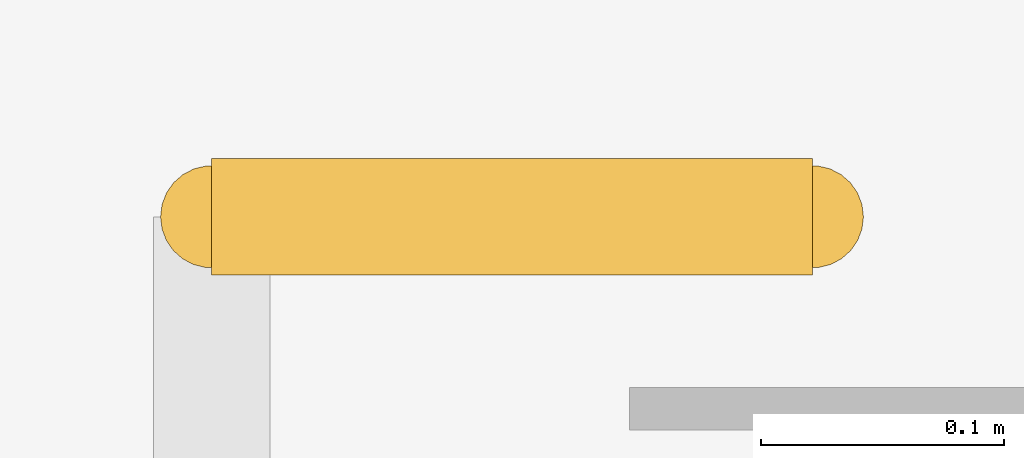
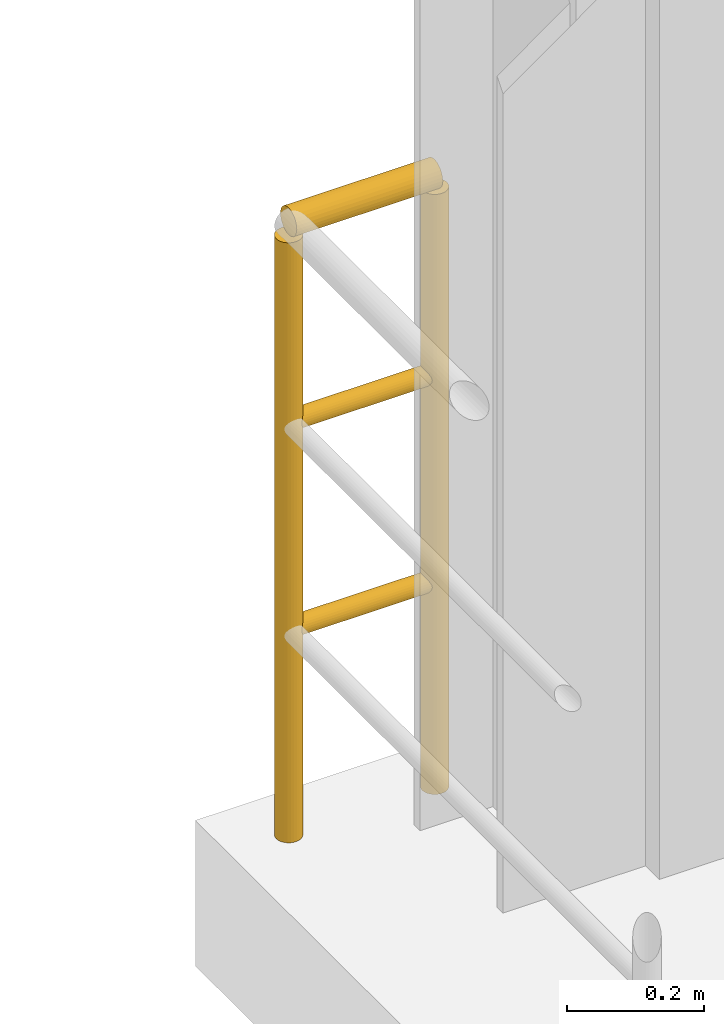
# One storey, part 110 of 112: 1 railing.
"""IFC4 building model written with IfcOpenShell, lengths in metres."""

from ifc_helpers import new_model, si_unit, direction, frame, origin, origin_2d, place, context, subcontext, project, spatial, circle, extrude, material, type_object, element, save


model = new_model("IFC4")

# Units and contexts
model_context = context("Model", 3, precision=1e-05, world=origin(), true_north=direction((0.0, 1.0)))
body_context = subcontext(model_context, "Body", "Model", "MODEL_VIEW")
ifc_project = project(units=[si_unit("LENGTHUNIT", "METRE"), si_unit("AREAUNIT", "SQUARE_METRE"), si_unit("VOLUMEUNIT", "CUBIC_METRE"), si_unit("PLANEANGLEUNIT", "RADIAN"), si_unit("MASSUNIT", "GRAM", prefix="KILO")], contexts=[model_context])

# Site, building, storey
site_placement = place(None, origin())
site = spatial("IfcSite", under=ifc_project, at=site_placement, CompositionType="ELEMENT")
building_placement = place(site_placement, origin())
building = spatial("IfcBuilding", under=site, at=building_placement, Name="Cinderbank Siding Concert Hall", CompositionType="ELEMENT")
storey_placement = place(building_placement, frame((0.0, 0.0, 10.199951171875)))
storey = spatial("IfcBuildingStorey", under=building, at=storey_placement, Name="L03", CompositionType="ELEMENT", Elevation=10.199951171875)

# Railing
ifc_material = material(Name="Structural steel AS/NZS 3679.1 Grade 350 (340 MPa)", Category="steel")
railing_type = type_object("IfcRailingType", Name="GD-01 Terrace & Perimeter Guardrail 1120mm", PredefinedType="GUARDRAIL", material=ifc_material)
railing_placement = place(storey_placement, frame((118.10009765625, 118.10009765625, 0.0)))
element("IfcRailing", 1, at=railing_placement, inside=storey, type_object=railing_type, Name="L03 Perimeter Guardrail #67", PredefinedType="GUARDRAIL", context=body_context, shape_type="SweptSolid", body=[
    extrude(circle(Radius=0.02392578125, at=origin_2d()), frame((0.0, 0.0, 1.09619140625), z_axis=(1.0, 0.0, 0.0), x_axis=(0.0, 1.0, 0.0)), (0.0, 0.0, 1.0), 0.246826171875),
    extrude(circle(Radius=0.01611328125, at=origin_2d()), frame((0.0, 0.0, 0.36962890625), z_axis=(1.0, 0.0, 0.0), x_axis=(0.0, 1.0, 0.0)), (0.0, 0.0, 1.0), 0.246826171875),
    extrude(circle(Radius=0.01611328125, at=origin_2d()), frame((0.0, 0.0, 0.7392578125), z_axis=(1.0, 0.0, 0.0), x_axis=(0.0, 1.0, 0.0)), (0.0, 0.0, 1.0), 0.246826171875),
    extrude(circle(Radius=0.02099609375, at=origin_2d()), origin(), (0.0, 0.0, 1.0), 1.072021484375),
    extrude(circle(Radius=0.02099609375, at=origin_2d()), frame((0.246826171875, 0.0, 0.0)), (0.0, 0.0, 1.0), 1.072021484375),
])

save(model, "model.ifc")
